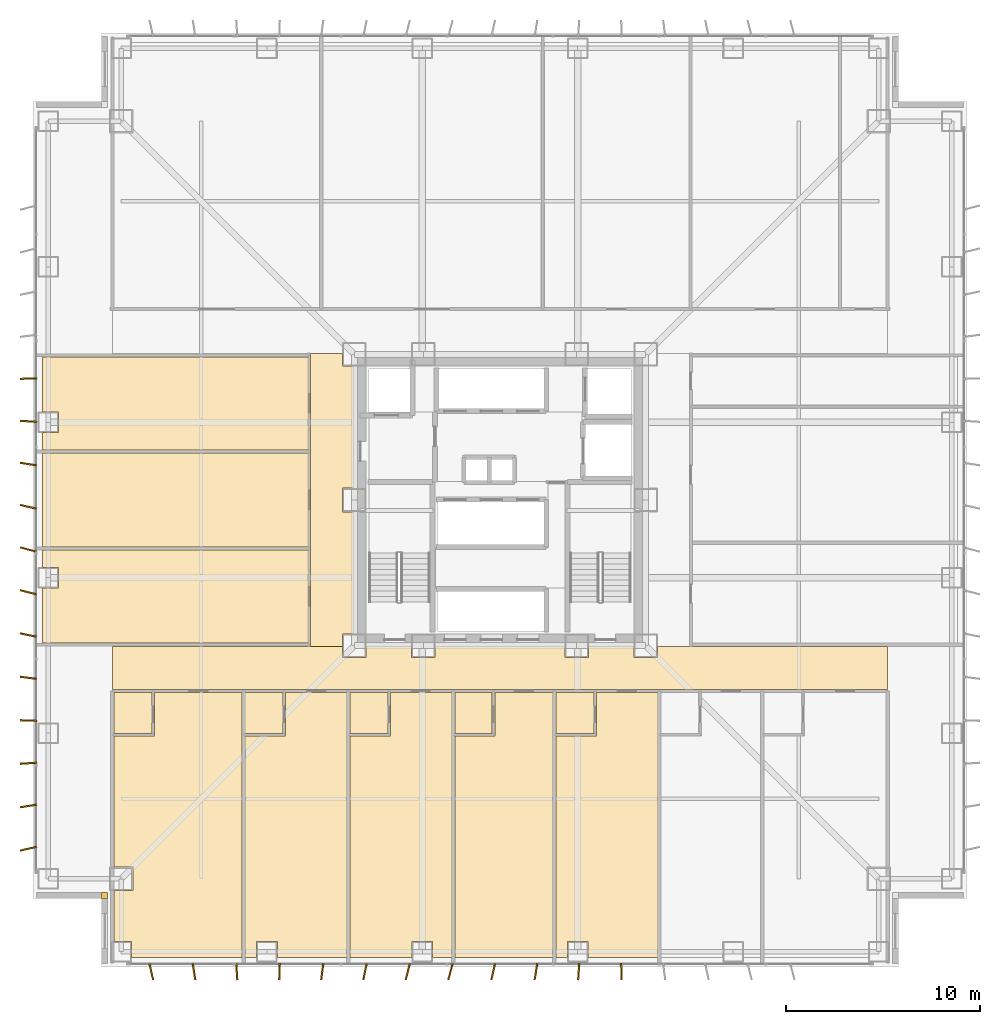
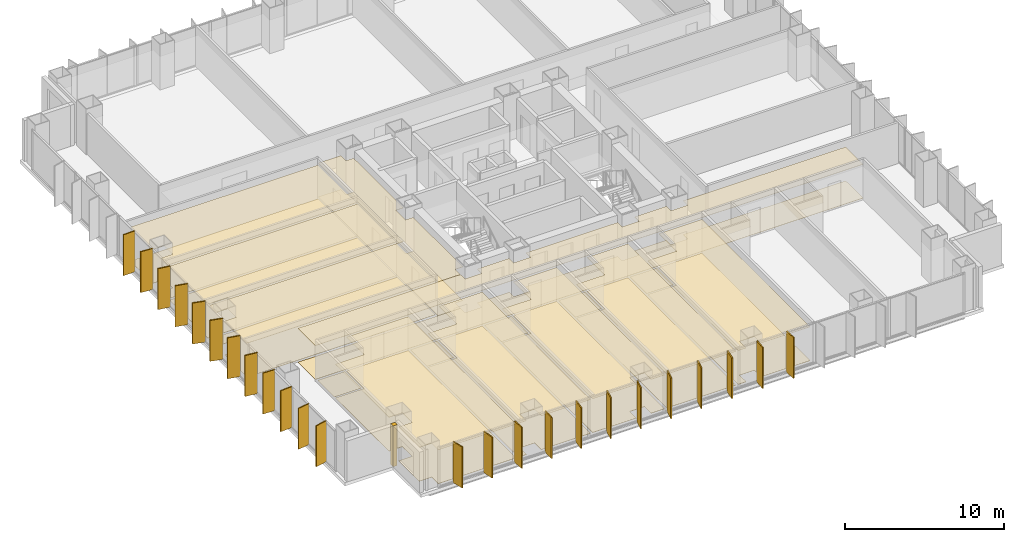
# One storey, part 17 of 19: 26 coverings, 24 shading devices.
"""IFC4 building model written with IfcOpenShell, lengths in metres."""

from ifc_helpers import new_model, si_unit, direction, frame, origin, origin_2d, place, context, subcontext, project, spatial, polyline, rectangle, outline, extrude, material, layer, layer_set, type_object, element, save


model = new_model("IFC4")

# Units and contexts
model_context = context("Model", 3, precision=1e-05, world=origin(), true_north=direction((0.0, 1.0)))
body_context = subcontext(model_context, "Body", "Model", "MODEL_VIEW")
ifc_project = project(units=[si_unit("LENGTHUNIT", "METRE"), si_unit("AREAUNIT", "SQUARE_METRE"), si_unit("VOLUMEUNIT", "CUBIC_METRE"), si_unit("PLANEANGLEUNIT", "RADIAN"), si_unit("MASSUNIT", "GRAM", prefix="KILO")], contexts=[model_context])

# Site, building, storey
site_placement = place(None, origin())
site = spatial("IfcSite", under=ifc_project, at=site_placement, CompositionType="ELEMENT")
building_placement = place(site_placement, origin())
building = spatial("IfcBuilding", under=site, at=building_placement, Name="Trevonay Congress Spire", CompositionType="ELEMENT")
storey_placement = place(building_placement, frame((0.0, 0.0, 79.5)))
storey = spatial("IfcBuildingStorey", under=building, at=storey_placement, Name="L20", CompositionType="ELEMENT", Elevation=79.5)

# Coverings
ifc_material_1 = material(Name="Acoustic Mineral Fibre Board", Category="gypsum")
ifc_layer_1 = layer(ifc_material_1, 0.02490234375, Name="Acoustic Mineral Fibre Board")
ifc_layer_set_1 = layer_set([ifc_layer_1], Name="Acoustic Mineral Fibre Board")
covering_type_1 = type_object("IfcCoveringType", Name="COV-CEIL-ACOUSTIC", PredefinedType="CEILING", material=ifc_layer_set_1)
covering_1_placement = place(storey_placement, frame((0.0, 0.0, 2.60009765625)))
element("IfcCovering", 1, at=covering_1_placement, inside=storey, type_object=covering_type_1, Name="L20 Hotel Floor Corridor South acoustic suspended ceiling", PredefinedType="CEILING", context=body_context, shape_type="SweptSolid", body=[
    extrude(outline(polyline([(19.949951171875, -7.550048828125), (19.949951171875, -9.75), (-19.949951171875, -9.75), (-19.949951171875, -7.550048828125), (-8.110107421875, -7.550048828125), (-8.110107421875, -8.110107421875), (-6.889892578125, -8.110107421875), (-6.889892578125, -7.550048828125), (-4.56005859375, -7.550048828125), (-4.56005859375, -8.110107421875), (-3.340087890625, -8.110107421875), (-3.340087890625, -7.550048828125), (3.340087890625, -7.550048828125), (3.340087890625, -8.110107421875), (4.56005859375, -8.110107421875), (4.56005859375, -7.550048828125), (6.889892578125, -7.550048828125), (6.889892578125, -8.110107421875), (8.110107421875, -8.110107421875), (8.110107421875, -7.550048828125), (19.949951171875, -7.550048828125)])), origin(), (0.0, 0.0, 1.0), 0.02490234375),
])
covering_2_placement = place(storey_placement, frame((0.0, 0.0, 2.60009765625)))
element("IfcCovering", 2, at=covering_2_placement, inside=storey, type_object=covering_type_1, Name="L20 Hotel Floor Corridor West acoustic suspended ceiling", PredefinedType="CEILING", context=body_context, shape_type="SweptSolid", body=[
    extrude(outline(polyline([(-9.75, 7.550048828125), (-8.110107421875, 7.550048828125), (-8.110107421875, 6.889892578125), (-7.550048828125, 6.889892578125), (-7.550048828125, 0.610107421875), (-8.110107421875, 0.610107421875), (-8.110107421875, -0.610107421875), (-7.550048828125, -0.610107421875), (-7.550048828125, -6.889892578125), (-8.110107421875, -6.889892578125), (-8.110107421875, -7.550048828125), (-9.75, -7.550048828125), (-9.75, 7.550048828125)])), origin(), (0.0, 0.0, 1.0), 0.02490234375),
])
covering_3_placement = place(storey_placement, frame((0.0, 0.0, 2.60009765625)))
element("IfcCovering", 3, at=covering_3_placement, inside=storey, type_object=covering_type_1, Name="L20 Corner Hotel Suite acoustic suspended ceiling", PredefinedType="CEILING", context=body_context, shape_type="SweptSolid", body=[
    extrude(outline(polyline([(-19.8701171875, -12.139892578125), (-17.780029296875, -12.139892578125), (-17.780029296875, -9.909912109375), (-13.280029296875, -9.909912109375), (-13.280029296875, -23.550048828125), (-18.965087890625, -23.550048828125), (-18.965087890625, -22.715087890625), (-19.8701171875, -22.715087890625), (-19.8701171875, -20.110107421875), (-18.889892578125, -20.110107421875), (-18.889892578125, -18.889892578125), (-19.8701171875, -18.889892578125), (-19.8701171875, -12.139892578125)])), origin(), (0.0, 0.0, 1.0), 0.02490234375),
])
covering_4_placement = place(storey_placement, frame((0.0, 0.0, 2.60009765625)))
element("IfcCovering", 4, at=covering_4_placement, inside=storey, type_object=covering_type_1, Name="L20 Corner Hotel Suite acoustic suspended ceiling", PredefinedType="CEILING", context=body_context, shape_type="SweptSolid", body=[
    extrude(outline(polyline([(-13.1201171875, -23.550048828125), (-13.1201171875, -12.139892578125), (-11.030029296875, -12.139892578125), (-11.030029296875, -9.909912109375), (-7.8798828125, -9.909912109375), (-7.8798828125, -23.550048828125), (-11.465087890625, -23.550048828125), (-11.465087890625, -22.715087890625), (-12.534912109375, -22.715087890625), (-12.534912109375, -23.550048828125), (-13.1201171875, -23.550048828125)])), origin(), (0.0, 0.0, 1.0), 0.02490234375),
])
covering_5_placement = place(storey_placement, frame((0.0, 0.0, 2.60009765625)))
element("IfcCovering", 5, at=covering_5_placement, inside=storey, type_object=covering_type_1, Name="L20 Corner Hotel Suite acoustic suspended ceiling", PredefinedType="CEILING", context=body_context, shape_type="SweptSolid", body=[
    extrude(outline(polyline([(-7.719970703125, -23.550048828125), (-7.719970703125, -12.139892578125), (-5.6298828125, -12.139892578125), (-5.6298828125, -9.909912109375), (-2.47998046875, -9.909912109375), (-2.47998046875, -23.550048828125), (-3.465087890625, -23.550048828125), (-3.465087890625, -22.715087890625), (-4.534912109375, -22.715087890625), (-4.534912109375, -23.550048828125), (-7.719970703125, -23.550048828125)])), origin(), (0.0, 0.0, 1.0), 0.02490234375),
])
covering_6_placement = place(storey_placement, frame((0.0, 0.0, 2.60009765625)))
element("IfcCovering", 6, at=covering_6_placement, inside=storey, type_object=covering_type_1, Name="L20 Corner Hotel Suite acoustic suspended ceiling", PredefinedType="CEILING", context=body_context, shape_type="SweptSolid", body=[
    extrude(outline(polyline([(-2.320068359375, -23.550048828125), (2.719970703125, -23.550048828125), (2.719970703125, -9.909912109375), (-0.264892578125, -9.909912109375), (-0.264892578125, -12.139892578125), (-2.320068359375, -12.139892578125), (-2.320068359375, -23.550048828125)])), origin(), (0.0, 0.0, 1.0), 0.02490234375),
])
covering_7_placement = place(storey_placement, frame((0.0, 0.0, 2.60009765625)))
element("IfcCovering", 7, at=covering_7_placement, inside=storey, type_object=covering_type_1, Name="L20 Corner Hotel Suite acoustic suspended ceiling", PredefinedType="CEILING", context=body_context, shape_type="SweptSolid", body=[
    extrude(outline(polyline([(2.8798828125, -23.550048828125), (2.8798828125, -12.139892578125), (4.969970703125, -12.139892578125), (4.969970703125, -9.909912109375), (8.1201171875, -9.909912109375), (8.1201171875, -23.550048828125), (4.534912109375, -23.550048828125), (4.534912109375, -22.715087890625), (3.465087890625, -22.715087890625), (3.465087890625, -23.550048828125), (2.8798828125, -23.550048828125)])), origin(), (0.0, 0.0, 1.0), 0.02490234375),
])
covering_8_placement = place(storey_placement, frame((0.0, 0.0, 2.60009765625)))
element("IfcCovering", 8, at=covering_8_placement, inside=storey, type_object=covering_type_1, Name="L20 Ambassador Briefing Room acoustic suspended ceiling", PredefinedType="CEILING", context=body_context, shape_type="SweptSolid", body=[
    extrude(outline(polyline([(-23.550048828125, -2.580078125), (-9.830078125, -2.580078125), (-9.830078125, -7.3701171875), (-23.550048828125, -7.3701171875), (-23.550048828125, -4.534912109375), (-22.715087890625, -4.534912109375), (-22.715087890625, -3.465087890625), (-23.550048828125, -3.465087890625), (-23.550048828125, -2.580078125)])), origin(), (0.0, 0.0, 1.0), 0.02490234375),
])
covering_9_placement = place(storey_placement, frame((0.0, 0.0, 2.60009765625)))
element("IfcCovering", 9, at=covering_9_placement, inside=storey, type_object=covering_type_1, Name="L20 Security Command Office acoustic suspended ceiling", PredefinedType="CEILING", context=body_context, shape_type="SweptSolid", body=[
    extrude(outline(polyline([(-23.550048828125, -2.419921875), (-9.830078125, -2.419921875), (-9.830078125, 2.419921875), (-23.550048828125, 2.419921875), (-23.550048828125, -2.419921875)])), origin(), (0.0, 0.0, 1.0), 0.02490234375),
])
covering_10_placement = place(storey_placement, frame((0.0, 0.0, 2.60009765625)))
element("IfcCovering", 10, at=covering_10_placement, inside=storey, type_object=covering_type_1, Name="L20 Private Dining Room acoustic suspended ceiling", PredefinedType="CEILING", context=body_context, shape_type="SweptSolid", body=[
    extrude(outline(polyline([(-23.550048828125, 7.3701171875), (-9.830078125, 7.3701171875), (-9.830078125, 2.580078125), (-23.550048828125, 2.580078125), (-23.550048828125, 3.465087890625), (-22.715087890625, 3.465087890625), (-22.715087890625, 4.534912109375), (-23.550048828125, 4.534912109375), (-23.550048828125, 7.3701171875)])), origin(), (0.0, 0.0, 1.0), 0.02490234375),
])
ifc_material_2 = material(Name="Polished Granite Floor Tile", Category="masonry")
ifc_layer_2 = layer(ifc_material_2, 0.02001953125, Name="Polished Granite Floor Tile")
ifc_layer_set_2 = layer_set([ifc_layer_2], Name="Polished Granite Floor Tile")
covering_type_2 = type_object("IfcCoveringType", Name="COV-FLOOR-STONE", PredefinedType="FLOORING", material=ifc_layer_set_2)
covering_11_placement = place(storey_placement, origin())
element("IfcCovering", 11, at=covering_11_placement, inside=storey, type_object=covering_type_2, Name="L20 Hotel Floor Corridor South floor finish", PredefinedType="FLOORING", context=body_context, shape_type="SweptSolid", body=[
    extrude(outline(polyline([(19.949951171875, -7.550048828125), (19.949951171875, -9.75), (-19.949951171875, -9.75), (-19.949951171875, -7.550048828125), (-8.110107421875, -7.550048828125), (-8.110107421875, -8.110107421875), (-6.889892578125, -8.110107421875), (-6.889892578125, -7.550048828125), (-4.56005859375, -7.550048828125), (-4.56005859375, -8.110107421875), (-3.340087890625, -8.110107421875), (-3.340087890625, -7.550048828125), (3.340087890625, -7.550048828125), (3.340087890625, -8.110107421875), (4.56005859375, -8.110107421875), (4.56005859375, -7.550048828125), (6.889892578125, -7.550048828125), (6.889892578125, -8.110107421875), (8.110107421875, -8.110107421875), (8.110107421875, -7.550048828125), (19.949951171875, -7.550048828125)])), origin(), (0.0, 0.0, 1.0), 0.02001953125),
])
covering_12_placement = place(storey_placement, origin())
element("IfcCovering", 12, at=covering_12_placement, inside=storey, type_object=covering_type_2, Name="L20 Hotel Floor Corridor West floor finish", PredefinedType="FLOORING", context=body_context, shape_type="SweptSolid", body=[
    extrude(outline(polyline([(-9.75, 7.550048828125), (-8.110107421875, 7.550048828125), (-8.110107421875, 6.889892578125), (-7.550048828125, 6.889892578125), (-7.550048828125, 0.610107421875), (-8.110107421875, 0.610107421875), (-8.110107421875, -0.610107421875), (-7.550048828125, -0.610107421875), (-7.550048828125, -6.889892578125), (-8.110107421875, -6.889892578125), (-8.110107421875, -7.550048828125), (-9.75, -7.550048828125), (-9.75, 7.550048828125)])), origin(), (0.0, 0.0, 1.0), 0.02001953125),
])
covering_13_placement = place(storey_placement, origin())
element("IfcCovering", 13, at=covering_13_placement, inside=storey, type_object=covering_type_2, Name="L20 En-suite Bathroom floor finish", PredefinedType="FLOORING", context=body_context, shape_type="SweptSolid", body=[
    extrude(outline(polyline([(-19.8701171875, -12.02001953125), (-17.919921875, -12.02001953125), (-17.919921875, -9.909912109375), (-19.8701171875, -9.909912109375), (-19.8701171875, -12.02001953125)])), origin(), (0.0, 0.0, 1.0), 0.02001953125),
])
covering_14_placement = place(storey_placement, origin())
element("IfcCovering", 14, at=covering_14_placement, inside=storey, type_object=covering_type_2, Name="L20 En-suite Bathroom floor finish", PredefinedType="FLOORING", context=body_context, shape_type="SweptSolid", body=[
    extrude(outline(polyline([(-13.1201171875, -12.02001953125), (-11.169921875, -12.02001953125), (-11.169921875, -9.909912109375), (-13.1201171875, -9.909912109375), (-13.1201171875, -12.02001953125)])), origin(), (0.0, 0.0, 1.0), 0.02001953125),
])
covering_15_placement = place(storey_placement, origin())
element("IfcCovering", 15, at=covering_15_placement, inside=storey, type_object=covering_type_2, Name="L20 En-suite Bathroom floor finish", PredefinedType="FLOORING", context=body_context, shape_type="SweptSolid", body=[
    extrude(outline(polyline([(-7.719970703125, -12.02001953125), (-5.77001953125, -12.02001953125), (-5.77001953125, -9.909912109375), (-7.719970703125, -9.909912109375), (-7.719970703125, -12.02001953125)])), origin(), (0.0, 0.0, 1.0), 0.02001953125),
])
covering_16_placement = place(storey_placement, origin())
element("IfcCovering", 16, at=covering_16_placement, inside=storey, type_object=covering_type_2, Name="L20 En-suite Bathroom floor finish", PredefinedType="FLOORING", context=body_context, shape_type="SweptSolid", body=[
    extrude(outline(polyline([(-2.320068359375, -12.02001953125), (-0.405029296875, -12.02001953125), (-0.405029296875, -9.909912109375), (-2.320068359375, -9.909912109375), (-2.320068359375, -12.02001953125)])), origin(), (0.0, 0.0, 1.0), 0.02001953125),
])
covering_17_placement = place(storey_placement, origin())
element("IfcCovering", 17, at=covering_17_placement, inside=storey, type_object=covering_type_2, Name="L20 En-suite Bathroom floor finish", PredefinedType="FLOORING", context=body_context, shape_type="SweptSolid", body=[
    extrude(outline(polyline([(2.8798828125, -12.02001953125), (4.830078125, -12.02001953125), (4.830078125, -9.909912109375), (2.8798828125, -9.909912109375), (2.8798828125, -12.02001953125)])), origin(), (0.0, 0.0, 1.0), 0.02001953125),
])
covering_18_placement = place(storey_placement, origin())
element("IfcCovering", 18, at=covering_18_placement, inside=storey, type_object=covering_type_2, Name="L20 Private Dining Room floor finish", PredefinedType="FLOORING", context=body_context, shape_type="SweptSolid", body=[
    extrude(outline(polyline([(-23.550048828125, 7.3701171875), (-9.830078125, 7.3701171875), (-9.830078125, 2.580078125), (-23.550048828125, 2.580078125), (-23.550048828125, 3.465087890625), (-22.715087890625, 3.465087890625), (-22.715087890625, 4.534912109375), (-23.550048828125, 4.534912109375), (-23.550048828125, 7.3701171875)])), origin(), (0.0, 0.0, 1.0), 0.02001953125),
])
ifc_material_3 = material(Name="Engineered Oak Flooring", Category="wood")
ifc_layer_3 = layer(ifc_material_3, 0.01806640625, Name="Engineered Oak Flooring")
ifc_layer_set_3 = layer_set([ifc_layer_3], Name="Engineered Oak Flooring")
covering_type_3 = type_object("IfcCoveringType", Name="COV-FLOOR-TIMBER", PredefinedType="FLOORING", material=ifc_layer_set_3)
covering_19_placement = place(storey_placement, origin())
element("IfcCovering", 19, at=covering_19_placement, inside=storey, type_object=covering_type_3, Name="L20 Corner Hotel Suite floor finish", PredefinedType="FLOORING", context=body_context, shape_type="SweptSolid", body=[
    extrude(outline(polyline([(-19.8701171875, -12.139892578125), (-17.780029296875, -12.139892578125), (-17.780029296875, -9.909912109375), (-13.280029296875, -9.909912109375), (-13.280029296875, -23.550048828125), (-18.965087890625, -23.550048828125), (-18.965087890625, -22.715087890625), (-19.8701171875, -22.715087890625), (-19.8701171875, -20.110107421875), (-18.889892578125, -20.110107421875), (-18.889892578125, -18.889892578125), (-19.8701171875, -18.889892578125), (-19.8701171875, -12.139892578125)])), origin(), (0.0, 0.0, 1.0), 0.01806640625),
])
covering_20_placement = place(storey_placement, origin())
element("IfcCovering", 20, at=covering_20_placement, inside=storey, type_object=covering_type_3, Name="L20 Corner Hotel Suite floor finish", PredefinedType="FLOORING", context=body_context, shape_type="SweptSolid", body=[
    extrude(outline(polyline([(-13.1201171875, -23.550048828125), (-13.1201171875, -12.139892578125), (-11.030029296875, -12.139892578125), (-11.030029296875, -9.909912109375), (-7.8798828125, -9.909912109375), (-7.8798828125, -23.550048828125), (-11.465087890625, -23.550048828125), (-11.465087890625, -22.715087890625), (-12.534912109375, -22.715087890625), (-12.534912109375, -23.550048828125), (-13.1201171875, -23.550048828125)])), origin(), (0.0, 0.0, 1.0), 0.01806640625),
])
covering_21_placement = place(storey_placement, origin())
element("IfcCovering", 21, at=covering_21_placement, inside=storey, type_object=covering_type_3, Name="L20 Corner Hotel Suite floor finish", PredefinedType="FLOORING", context=body_context, shape_type="SweptSolid", body=[
    extrude(outline(polyline([(-7.719970703125, -23.550048828125), (-7.719970703125, -12.139892578125), (-5.6298828125, -12.139892578125), (-5.6298828125, -9.909912109375), (-2.47998046875, -9.909912109375), (-2.47998046875, -23.550048828125), (-3.465087890625, -23.550048828125), (-3.465087890625, -22.715087890625), (-4.534912109375, -22.715087890625), (-4.534912109375, -23.550048828125), (-7.719970703125, -23.550048828125)])), origin(), (0.0, 0.0, 1.0), 0.01806640625),
])
covering_22_placement = place(storey_placement, origin())
element("IfcCovering", 22, at=covering_22_placement, inside=storey, type_object=covering_type_3, Name="L20 Corner Hotel Suite floor finish", PredefinedType="FLOORING", context=body_context, shape_type="SweptSolid", body=[
    extrude(outline(polyline([(-2.320068359375, -23.550048828125), (2.719970703125, -23.550048828125), (2.719970703125, -9.909912109375), (-0.264892578125, -9.909912109375), (-0.264892578125, -12.139892578125), (-2.320068359375, -12.139892578125), (-2.320068359375, -23.550048828125)])), origin(), (0.0, 0.0, 1.0), 0.01806640625),
])
covering_23_placement = place(storey_placement, origin())
element("IfcCovering", 23, at=covering_23_placement, inside=storey, type_object=covering_type_3, Name="L20 Corner Hotel Suite floor finish", PredefinedType="FLOORING", context=body_context, shape_type="SweptSolid", body=[
    extrude(outline(polyline([(2.8798828125, -23.550048828125), (2.8798828125, -12.139892578125), (4.969970703125, -12.139892578125), (4.969970703125, -9.909912109375), (8.1201171875, -9.909912109375), (8.1201171875, -23.550048828125), (4.534912109375, -23.550048828125), (4.534912109375, -22.715087890625), (3.465087890625, -22.715087890625), (3.465087890625, -23.550048828125), (2.8798828125, -23.550048828125)])), origin(), (0.0, 0.0, 1.0), 0.01806640625),
])
covering_24_placement = place(storey_placement, origin())
element("IfcCovering", 24, at=covering_24_placement, inside=storey, type_object=covering_type_3, Name="L20 Ambassador Briefing Room floor finish", PredefinedType="FLOORING", context=body_context, shape_type="SweptSolid", body=[
    extrude(outline(polyline([(-23.550048828125, -2.580078125), (-9.830078125, -2.580078125), (-9.830078125, -7.3701171875), (-23.550048828125, -7.3701171875), (-23.550048828125, -4.534912109375), (-22.715087890625, -4.534912109375), (-22.715087890625, -3.465087890625), (-23.550048828125, -3.465087890625), (-23.550048828125, -2.580078125)])), origin(), (0.0, 0.0, 1.0), 0.01806640625),
])
covering_25_placement = place(storey_placement, origin())
element("IfcCovering", 25, at=covering_25_placement, inside=storey, type_object=covering_type_3, Name="L20 Security Command Office floor finish", PredefinedType="FLOORING", context=body_context, shape_type="SweptSolid", body=[
    extrude(outline(polyline([(-23.550048828125, -2.419921875), (-9.830078125, -2.419921875), (-9.830078125, 2.419921875), (-23.550048828125, 2.419921875), (-23.550048828125, -2.419921875)])), origin(), (0.0, 0.0, 1.0), 0.01806640625),
])
ifc_material_4 = material(Name="Pale Anodised Aluminium EN AW-6063-T6", Category="aluminium")
ifc_layer_4 = layer(ifc_material_4, 0.0400390625, Name="Pale Anodised Aluminium EN AW-6063-T6")
ifc_layer_set_4 = layer_set([ifc_layer_4], Name="Pale Anodised Aluminium EN AW-6063-T6")
covering_type_4 = type_object("IfcCoveringType", Name="COV-SPANDREL-PALE-METAL", PredefinedType="CLADDING", material=ifc_layer_set_4)
covering_26_placement = place(storey_placement, origin())
element("IfcCovering", 26, at=covering_26_placement, inside=storey, type_object=covering_type_4, Name="L20 SW re-entrant notch corner closure trim", PredefinedType="CLADDING", context=body_context, shape_type="SweptSolid", body=[
    extrude(outline(polyline([(-20.5, -20.5), (-20.199951171875, -20.5), (-20.199951171875, -20.199951171875), (-20.5, -20.199951171875), (-20.5, -20.5)])), origin(), (0.0, 0.0, 1.0), 3.14990234375),
])

# Shading devices
shading_device_type = type_object("IfcShadingDeviceType", Name="SHD-FIN-Z1-PALE-METAL", PredefinedType="USERDEFINED", material=ifc_material_4)
for number, where, z_axis, x_axis, name in (
    (27, (-17.949951171875, -24.280029296875, 0.0), (0.0, 0.0, 1.0), (0.97440931131, 0.224780991261, 0.0), "L20 S vertical pale-metal solar fin 1"),
    (28, (-15.75, -24.280029296875, 0.0), (0.0, 0.0, 1.0), (0.987330860032, 0.158675054211, 0.0), "L20 S vertical pale-metal solar fin 2"),
    (29, (-13.550048828125, -24.280029296875, 0.0), (0.0, 0.0, 1.0), (0.997707959868, 0.067667029017, 0.0), "L20 S vertical pale-metal solar fin 3"),
    (30, (-11.35009765625, -24.280029296875, 0.0), (0.0, 0.0, 1.0), (0.999414947917, -0.034201781837, 0.0), "L20 S vertical pale-metal solar fin 4"),
    (31, (-9.14990234375, -24.280029296875, 0.0), (0.0, 0.0, 1.0), (0.991444861374, -0.13052619222, 0.0), "L20 S vertical pale-metal solar fin 5"),
    (32, (-6.949951171875, -24.280029296875, 0.0), (0.0, 0.0, 1.0), (0.978508985102, -0.206204185397, 0.0), "L20 S vertical pale-metal solar fin 6"),
    (33, (-4.75, -24.280029296875, 0.0), (0.0, 0.0, 1.0), (0.968191325187, -0.250211026602, 0.0), "L20 S vertical pale-metal solar fin 7"),
    (34, (-2.550048828125, -24.280029296875, 0.0), (0.0, 0.0, 1.0), (0.966510581262, -0.256626764599, 0.0), "L20 S vertical pale-metal solar fin 8"),
    (35, (-0.35009765625, -24.280029296875, 0.0), (0.0, 0.0, 1.0), (0.97440931131, -0.224780991261, 0.0), "L20 S vertical pale-metal solar fin 9"),
    (36, (1.85009765625, -24.280029296875, 0.0), (0.0, 0.0, 1.0), (0.987330860032, -0.158675054211, 0.0), "L20 S vertical pale-metal solar fin 10"),
    (37, (4.050048828125, -24.280029296875, 0.0), (0.0, 0.0, 1.0), (0.997707959868, -0.067667029017, 0.0), "L20 S vertical pale-metal solar fin 11"),
    (38, (6.25, -24.280029296875, 0.0), (0.0, 0.0, 1.0), (0.999414947917, 0.034201781837, 0.0), "L20 S vertical pale-metal solar fin 12"),
    (39, (-24.280029296875, -17.949951171875, 0.0), (0.0, 0.0, 1.0), (-0.224780991261, 0.97440931131, 0.0), "L20 W vertical pale-metal solar fin 1"),
    (40, (-24.280029296875, -15.75, 0.0), (0.0, 0.0, 1.0), (-0.158675054211, 0.987330860032, 0.0), "L20 W vertical pale-metal solar fin 2"),
    (41, (-24.280029296875, -13.550048828125, 0.0), (0.0, 0.0, 1.0), (-0.067667029017, 0.997707959868, 0.0), "L20 W vertical pale-metal solar fin 3"),
    (42, (-24.280029296875, -11.35009765625, 0.0), (0.0, 0.0, 1.0), (0.034201781837, 0.999414947917, 0.0), "L20 W vertical pale-metal solar fin 4"),
    (43, (-24.280029296875, -9.14990234375, 0.0), (0.0, 0.0, 1.0), (0.13052619222, 0.991444861374, 0.0), "L20 W vertical pale-metal solar fin 5"),
    (44, (-24.280029296875, -6.949951171875, 0.0), (0.0, 0.0, 1.0), (0.206204185397, 0.978508985102, 0.0), "L20 W vertical pale-metal solar fin 6"),
    (45, (-24.280029296875, -4.75, 0.0), (0.0, 0.0, 1.0), (0.250211026602, 0.968191325187, 0.0), "L20 W vertical pale-metal solar fin 7"),
    (46, (-24.280029296875, -2.550048828125, 0.0), (0.0, 0.0, 1.0), (0.256626764599, 0.966510581262, 0.0), "L20 W vertical pale-metal solar fin 8"),
    (47, (-24.280029296875, -0.35009765625, 0.0), (0.0, 0.0, 1.0), (0.224780991261, 0.97440931131, 0.0), "L20 W vertical pale-metal solar fin 9"),
    (48, (-24.280029296875, 1.85009765625, 0.0), (0.0, 0.0, 1.0), (0.158675054211, 0.987330860032, 0.0), "L20 W vertical pale-metal solar fin 10"),
    (49, (-24.280029296875, 4.050048828125, 0.0), (0.0, 0.0, 1.0), (0.067667029017, 0.997707959868, 0.0), "L20 W vertical pale-metal solar fin 11"),
    (50, (-24.280029296875, 6.25, 0.0), (0.0, 0.0, 1.0), (-0.034201781837, 0.999414947917, 0.0), "L20 W vertical pale-metal solar fin 12"),
):
    element("IfcShadingDevice", number, at=place(storey_placement, frame(where, z_axis=z_axis, x_axis=x_axis)), inside=storey, type_object=shading_device_type, Name=name, ObjectType="SOLAR FIN", PredefinedType="USERDEFINED", context=body_context, shape_type="SweptSolid", body=[
        extrude(rectangle(XDim=0.080078125, YDim=0.85009765625, at=origin_2d()), origin(), (0.0, 0.0, 1.0), 3.14990234375),
    ])

save(model, "model.ifc")
